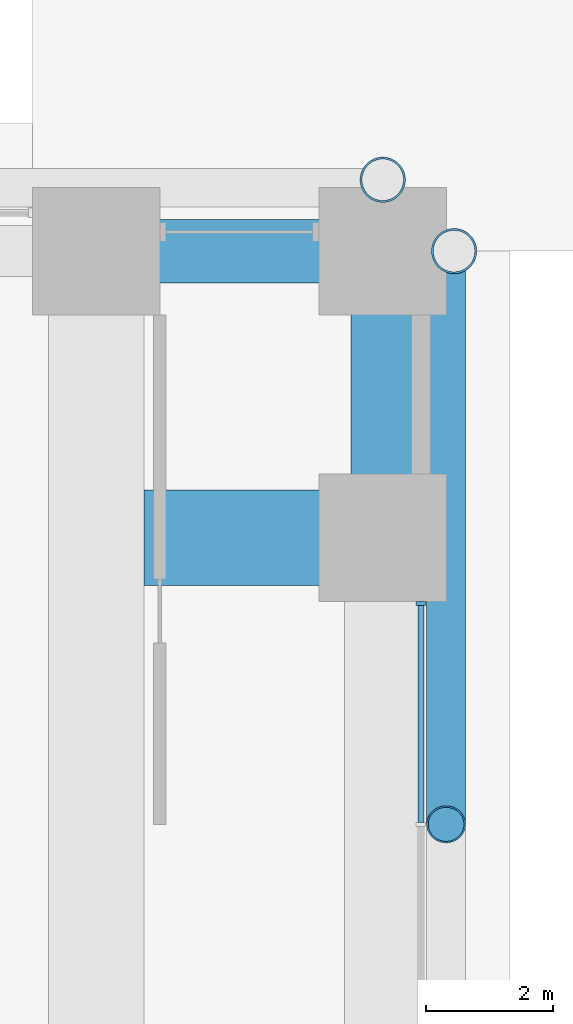
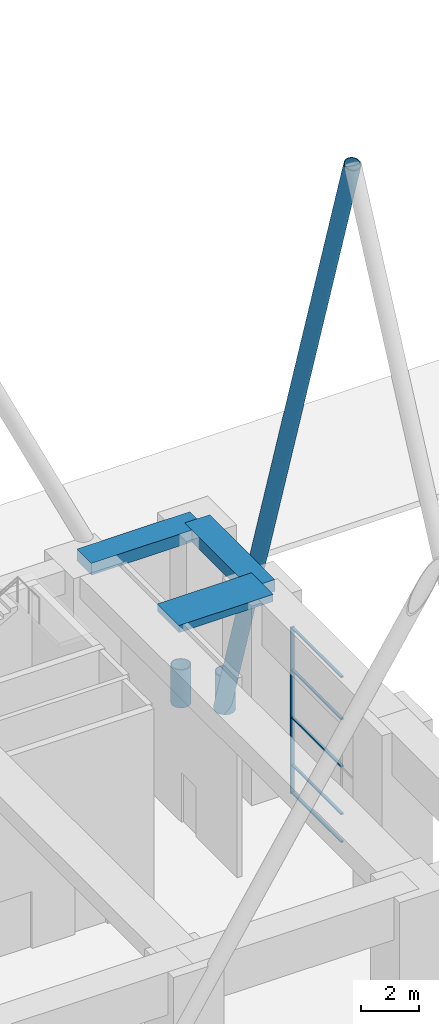
# One storey, part 22 of 44: 9 members, 3 beams, 1 element without a shape of its own.
"""IFC4 building model written with IfcOpenShell, lengths in metres."""

from ifc_helpers import new_model, si_unit, direction, frame, origin, origin_2d, place, context, subcontext, project, spatial, rectangle, hollow_circle, extrude, material, material_profile, profile_set, type_object, element, aggregate, save


model = new_model("IFC4")

# Units and contexts
model_context = context("Model", 3, precision=1e-05, world=origin(), true_north=direction((0.0, 1.0)))
body_context = subcontext(model_context, "Body", "Model", "MODEL_VIEW")
ifc_project = project(units=[si_unit("LENGTHUNIT", "METRE"), si_unit("AREAUNIT", "SQUARE_METRE"), si_unit("VOLUMEUNIT", "CUBIC_METRE"), si_unit("PLANEANGLEUNIT", "RADIAN"), si_unit("MASSUNIT", "GRAM", prefix="KILO")], contexts=[model_context])

# Site, building, storey
site_placement = place(None, origin())
site = spatial("IfcSite", under=ifc_project, at=site_placement, CompositionType="ELEMENT")
building_placement = place(site_placement, origin())
building = spatial("IfcBuilding", under=site, at=building_placement, Name="Firuza Court", CompositionType="ELEMENT")
storey_placement = place(building_placement, origin())
storey = spatial("IfcBuildingStorey", under=building, at=storey_placement, Name="L00", CompositionType="ELEMENT", Elevation=0.0)

# Beam
ifc_material_1 = material(Name="Concrete C40/50", Category="concrete")
ifc_material_profile_1 = material_profile(ifc_material_1, rectangle(XDim=1.5, YDim=0.300048828125, at=origin_2d()), Name="RC 1500x300")
ifc_profile_set_1 = profile_set([ifc_material_profile_1], Name="Concrete C40/50")
beam_type_1 = type_object("IfcBeamType", Name="Band beam RC 1500x300 C40/50", PredefinedType="BEAM", material=ifc_profile_set_1)
beam_placement = place(storey_placement, frame((67.5, 54.0, 8.25), z_axis=(-1.0, 0.0, 0.0), x_axis=(0.0, -1.0, 0.0)))
element("IfcBeam", 1, at=beam_placement, inside=storey, type_object=beam_type_1, Name="Band beam FB6 level L01", PredefinedType="BEAM", context=body_context, shape_type="SweptSolid", body=[
    extrude(rectangle(XDim=1.5, YDim=0.300048828125, at=origin_2d()), origin(), (0.0, 0.0, 1.0), 3.75),
])

# Members
ifc_material_2 = material(Name="Steel S355", Category="steel")
ifc_material_profile_2 = material_profile(ifc_material_2, hollow_circle(Radius=0.304931640625, WallThickness=0.02490234375, at=origin_2d()), Name="CHS 610x25")
ifc_profile_set_2 = profile_set([ifc_material_profile_2], Name="Steel S355")
member_type_1 = type_object("IfcMemberType", Name="Diagrid diagonal CHS 610x25 S355", PredefinedType="USERDEFINED", material=ifc_profile_set_2)
member_1_placement = place(storey_placement, frame((68.4951171875, 58.5, 0.092041015625), z_axis=(0.0, -0.302502455358, 0.953148605676), x_axis=(1.0, 0.0, 0.0)))
element("IfcMember", 2, at=member_1_placement, inside=storey, type_object=member_type_1, Name="Diagrid diagonal L00 to L05", ObjectType="DIAGRID", PredefinedType="USERDEFINED", context=body_context, shape_type="SweptSolid", body=[
    extrude(hollow_circle(Radius=0.304931640625, WallThickness=0.02490234375, at=origin_2d()), origin(), (0.0, 0.0, 1.0), 29.751708984375),
])
ifc_material_3 = material(Name="Steel S355", Category="steel")
ifc_material_profile_3 = material_profile(ifc_material_3, hollow_circle(Radius=0.35546875, WallThickness=0.030029296875, at=origin_2d()), Name="CHS 711x30")
ifc_profile_set_3 = profile_set([ifc_material_profile_3], Name="Steel S355")
member_type_2 = type_object("IfcMemberType", Name="Diagrid node CHS 711x30 S355", PredefinedType="USERDEFINED", material=ifc_profile_set_3)
for number, where, z_axis, x_axis, name in (
    (3, (67.5, 59.6201171875, 0.0), (0.0, 0.0, 1.0), (1.0, 0.0, 0.0), "Diagrid node level L00"),
    (4, (68.6201171875, 58.5, 0.0), (0.0, 0.0, 1.0), (1.0, 0.0, 0.0), "Diagrid node level L00"),
):
    element("IfcMember", number, at=place(storey_placement, frame(where, z_axis=z_axis, x_axis=x_axis)), inside=storey, type_object=member_type_2, Name=name, ObjectType="DIAGRID NODE", PredefinedType="USERDEFINED", context=body_context, shape_type="SweptSolid", body=[
        extrude(hollow_circle(Radius=0.35546875, WallThickness=0.030029296875, at=origin_2d()), origin(), (0.0, 0.0, 1.0), 1.60009765625),
    ])

# Curtain wall, member
ifc_material_4 = material(Name="Aluminium curtain wall, triple clear glazing", Category="aluminium")
curtain_wall_type = type_object("IfcCurtainWallType", Name="Ground lobby stick shopfront CW2", PredefinedType="NOTDEFINED", material=ifc_material_4)
curtain_wall_placement = place(storey_placement, origin())
curtain_wall = element("IfcCurtainWall", 5, at=curtain_wall_placement, inside=storey, type_object=curtain_wall_type, Name="Ground lobby stick shopfront CW2 L00", PredefinedType="NOTDEFINED")
ifc_material_5 = material(Name="Aluminium EN AW-6060 T66", Category="aluminium")
ifc_material_profile_4 = material_profile(ifc_material_5, rectangle(XDim=0.14990234375, YDim=0.06005859375, at=origin_2d()), Name="Mullion 150 x 60 CW2")
ifc_profile_set_4 = profile_set([ifc_material_profile_4], Name="Aluminium EN AW-6060 T66")
member_type_3 = type_object("IfcMemberType", Name="Mullion 150 x 60 CW2", PredefinedType="MULLION", material=ifc_profile_set_4)
member_2_placement = place(storey_placement, frame((68.10009765625, 52.969970703125, 0.0), z_axis=(0.0, 0.0, 1.0), x_axis=(-1.0, 0.0, 0.0)))
member_2 = element("IfcMember", 6, at=member_2_placement, type_object=member_type_3, Name="CW2 mullion 3", PredefinedType="MULLION", context=body_context, shape_type="SweptSolid", body=[
    extrude(rectangle(XDim=0.14990234375, YDim=0.06005859375, at=origin_2d()), origin(), (0.0, 0.0, 1.0), 7.0),
])

# Beams
ifc_material_6 = material(Name="Concrete C40/50", Category="concrete")
ifc_material_profile_5 = material_profile(ifc_material_6, rectangle(XDim=1.0, YDim=0.5, at=origin_2d()), Name="RC 1000x500")
ifc_profile_set_5 = profile_set([ifc_material_profile_5], Name="Concrete C40/50")
beam_type_2 = type_object("IfcBeamType", Name="Spandrel beam RC 1000x500 C40/50", PredefinedType="BEAM", material=ifc_profile_set_5)
for number, where, z_axis, x_axis, name in (
    (7, (67.5, 54.0, 8.14990234375), (0.0, 1.0, 0.0), (-1.0, 0.0, 0.0), "Spandrel beam SP7 level L01"),
    (8, (67.5, 58.5, 8.14990234375), (-1.0, 0.0, 0.0), (0.0, -1.0, 0.0), "Spandrel beam SP7 level L01"),
):
    element("IfcBeam", number, at=place(storey_placement, frame(where, z_axis=z_axis, x_axis=x_axis)), inside=storey, type_object=beam_type_2, Name=name, PredefinedType="BEAM", context=body_context, shape_type="SweptSolid", body=[
        extrude(rectangle(XDim=1.0, YDim=0.5, at=origin_2d()), origin(), (0.0, 0.0, 1.0), 4.5),
    ])

# Member
ifc_material_7 = material(Name="Aluminium EN AW-6060 T66", Category="aluminium")
ifc_material_profile_6 = material_profile(ifc_material_7, rectangle(XDim=0.10009765625, YDim=0.06005859375, at=origin_2d()), Name="Transom 100 x 60 CW2")
ifc_profile_set_6 = profile_set([ifc_material_profile_6], Name="Aluminium EN AW-6060 T66")
member_type_4 = type_object("IfcMemberType", Name="Transom 100 x 60 CW2", PredefinedType="USERDEFINED", material=ifc_profile_set_6)
member_3_placement = place(storey_placement, frame((68.10009765625, 49.530029296875, 0.030029296875), z_axis=(0.0, 1.0, 0.0), x_axis=(-1.0, 0.0, 0.0)))
member_3 = element("IfcMember", 9, at=member_3_placement, type_object=member_type_4, Name="CW2 transom 2.1", ObjectType="TRANSOM", PredefinedType="USERDEFINED", context=body_context, shape_type="SweptSolid", body=[
    extrude(rectangle(XDim=0.10009765625, YDim=0.06005859375, at=origin_2d()), origin(), (0.0, 0.0, 1.0), 3.409912109375),
])

member_4_placement = place(storey_placement, frame((68.10009765625, 49.530029296875, 1.199951171875), z_axis=(0.0, 1.0, 0.0), x_axis=(-1.0, 0.0, 0.0)))
member_4 = element("IfcMember", 10, at=member_4_placement, type_object=member_type_4, Name="CW2 transom 2.2", ObjectType="TRANSOM", PredefinedType="USERDEFINED", context=body_context, shape_type="SweptSolid", body=[
    extrude(rectangle(XDim=0.10009765625, YDim=0.06005859375, at=origin_2d()), origin(), (0.0, 0.0, 1.0), 3.409912109375),
])

member_5_placement = place(storey_placement, frame((68.10009765625, 49.530029296875, 3.199951171875), z_axis=(0.0, 1.0, 0.0), x_axis=(-1.0, 0.0, 0.0)))
member_5 = element("IfcMember", 11, at=member_5_placement, type_object=member_type_4, Name="CW2 transom 2.3", ObjectType="TRANSOM", PredefinedType="USERDEFINED", context=body_context, shape_type="SweptSolid", body=[
    extrude(rectangle(XDim=0.10009765625, YDim=0.06005859375, at=origin_2d()), origin(), (0.0, 0.0, 1.0), 3.409912109375),
])

member_6_placement = place(storey_placement, frame((68.10009765625, 49.530029296875, 5.199951171875), z_axis=(0.0, 1.0, 0.0), x_axis=(-1.0, 0.0, 0.0)))
member_6 = element("IfcMember", 12, at=member_6_placement, type_object=member_type_4, Name="CW2 transom 2.4", ObjectType="TRANSOM", PredefinedType="USERDEFINED", context=body_context, shape_type="SweptSolid", body=[
    extrude(rectangle(XDim=0.10009765625, YDim=0.06005859375, at=origin_2d()), origin(), (0.0, 0.0, 1.0), 3.409912109375),
])

member_7_placement = place(storey_placement, frame((68.10009765625, 49.530029296875, 6.969970703125), z_axis=(0.0, 1.0, 0.0), x_axis=(-1.0, 0.0, 0.0)))
member_7 = element("IfcMember", 13, at=member_7_placement, type_object=member_type_4, Name="CW2 transom 2.5", ObjectType="TRANSOM", PredefinedType="USERDEFINED", context=body_context, shape_type="SweptSolid", body=[
    extrude(rectangle(XDim=0.10009765625, YDim=0.06005859375, at=origin_2d()), origin(), (0.0, 0.0, 1.0), 3.409912109375),
])

aggregate(curtain_wall, [member_2, member_3, member_4, member_5, member_6, member_7])

save(model, "model.ifc")
